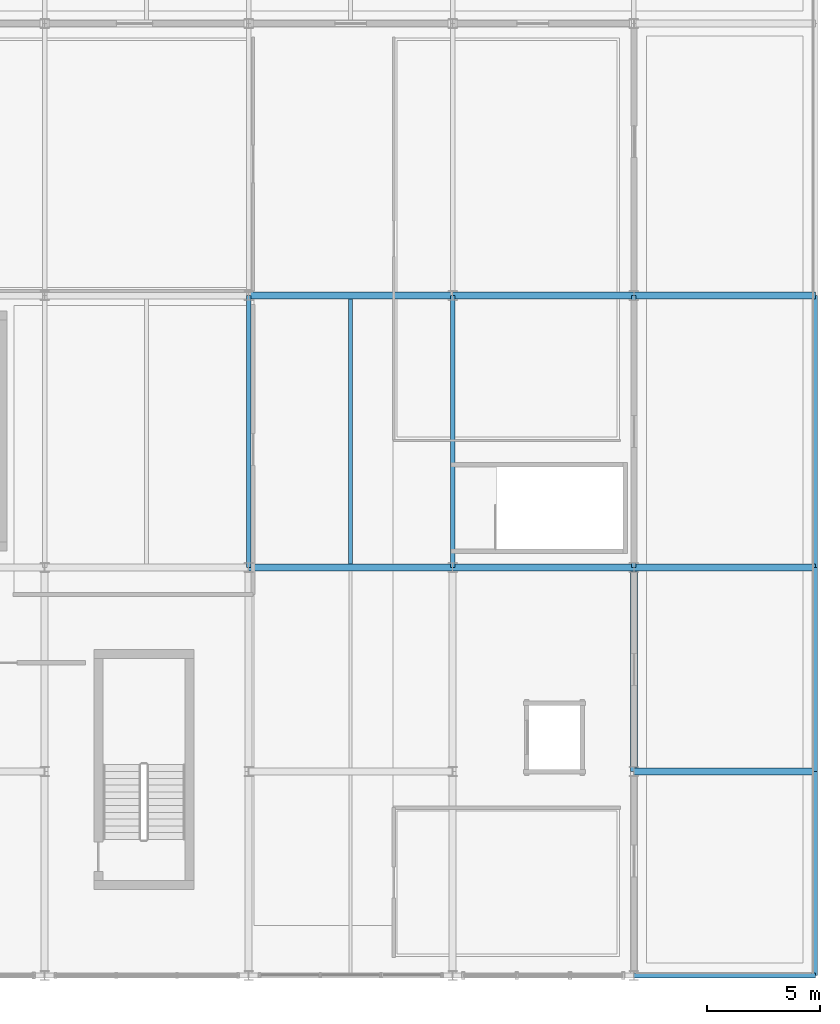
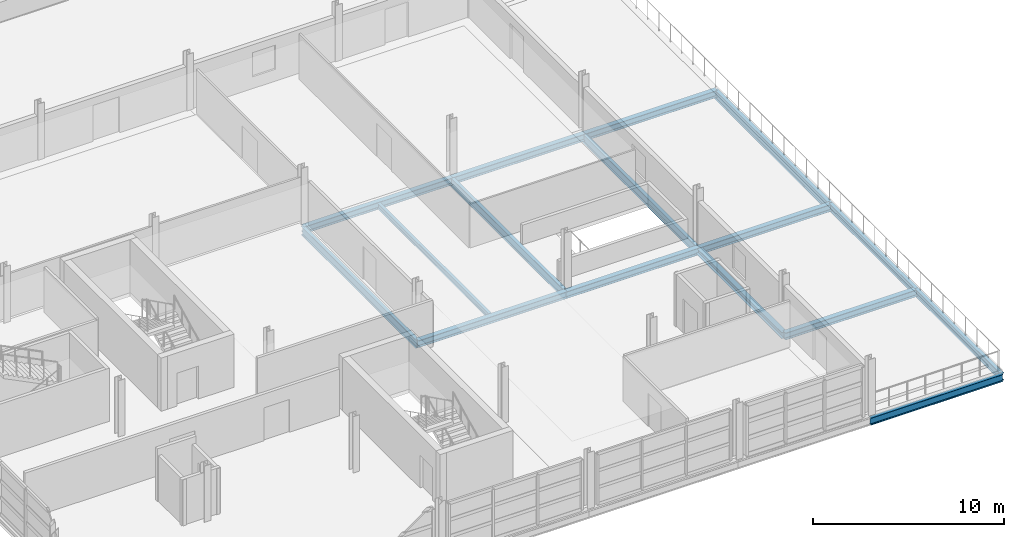
# One storey, part 64 of 116: 16 beams.
"""IFC4 building model written with IfcOpenShell, lengths in metres."""

import ifcopenshell
import ifcopenshell.guid

model = None  # the IFC model being written
_history = None  # IfcOwnerHistory: only IFC2X3 demands one
_inside = {}  # id of a spatial element -> (the spatial element, [elements in it])
_under = {}  # id of a project, library or spatial element -> (it, [spatial elements below it])
_declared = {}  # id of a project -> (the project, [libraries it declares])
_typed = {}  # id of a type object -> (the type object, [elements of that type])
_made_of = {}  # id of a material, layer set ... -> (it, [elements and type objects made of it])


def new_model(schema):
    """Start an empty IFC model of exactly this schema.

    Asked for "IFC4X3", IfcOpenShell would pick the latest addendum, in which some entities
    have other attributes; the version numbers below select the first issue.
    IFC2X3 requires an IfcOwnerHistory on every rooted entity: one is made here for all.
    """
    global model, _history
    if schema == "IFC4X3":
        model = ifcopenshell.file(schema_version=(4, 3, 0, 0))
    else:
        model = ifcopenshell.file(schema=schema)
    _inside.clear()
    _under.clear()
    _declared.clear()
    _typed.clear()
    _made_of.clear()
    _history = None
    if model.schema == "IFC2X3":
        org = make("IfcOrganization", Name="unknown")
        user = make(
            "IfcPersonAndOrganization",
            ThePerson=make("IfcPerson", FamilyName="unknown"),
            TheOrganization=org,
        )
        app = make(
            "IfcApplication",
            ApplicationDeveloper=org,
            Version="unknown",
            ApplicationFullName="unknown",
            ApplicationIdentifier="unknown",
        )
        _history = make(
            "IfcOwnerHistory",
            OwningUser=user,
            OwningApplication=app,
            ChangeAction="ADDED",
            CreationDate=0,
        )
    return model


def make(cls, **values):
    """One entity of the class cls with the attributes given. An attribute that is None is left unset."""
    return model.create_entity(
        cls, **{name: value for name, value in values.items() if value is not None}
    )


def rooted(cls, **values):
    """An entity with a GlobalId (a new one), such as an element, a storey or a relation."""
    return make(cls, GlobalId=ifcopenshell.guid.new(), OwnerHistory=_history, **values)


def si_unit(unit_type, name, prefix=None):
    """IfcSIUnit, for example si_unit("LENGTHUNIT", "METRE", prefix="MILLI")."""
    return make("IfcSIUnit", UnitType=unit_type, Prefix=prefix, Name=name)


def assignment(units):
    """IfcUnitAssignment: the units of a project."""
    return None if units is None else make("IfcUnitAssignment", Units=units)


def point(xyz):
    """IfcCartesianPoint."""
    return None if xyz is None else make("IfcCartesianPoint", Coordinates=xyz)


def direction(xyz):
    """IfcDirection."""
    return None if xyz is None else make("IfcDirection", DirectionRatios=xyz)


def frame(location, z_axis=None, x_axis=None):
    """IfcAxis2Placement3D, a coordinate frame: its origin and axes. An axis left out is left unset."""
    return make(
        "IfcAxis2Placement3D",
        Location=point(location),
        Axis=direction(z_axis),
        RefDirection=direction(x_axis),
    )


def frame_2d(location, x_axis=None):
    """IfcAxis2Placement2D, a coordinate frame in the plane: its origin and x axis."""
    return make(
        "IfcAxis2Placement2D", Location=point(location), RefDirection=direction(x_axis)
    )


def origin():
    """The frame at (0, 0, 0) with its axes left unset."""
    return frame((0.0, 0.0, 0.0))


def origin_2d():
    """The frame at (0, 0) in the plane with its x axis left unset."""
    return frame_2d((0.0, 0.0))


def place(relative_to, where):
    """IfcLocalPlacement: puts the frame where relative to a parent placement (None: the world)."""
    return make(
        "IfcLocalPlacement", PlacementRelTo=relative_to, RelativePlacement=where
    )


def context(
    kind, dimensions, precision=None, world=None, true_north=None, identifier=None
):
    """IfcGeometricRepresentationContext, for example the 3D "Model" context."""
    return make(
        "IfcGeometricRepresentationContext",
        ContextIdentifier=identifier,
        ContextType=kind,
        CoordinateSpaceDimension=dimensions,
        Precision=precision,
        WorldCoordinateSystem=world,
        TrueNorth=true_north,
    )


def subcontext(parent, identifier, kind, view, scale=None):
    """IfcGeometricRepresentationSubContext, for example "Body" below "Model"."""
    return make(
        "IfcGeometricRepresentationSubContext",
        ContextIdentifier=identifier,
        ContextType=kind,
        ParentContext=parent,
        TargetScale=scale,
        TargetView=view,
    )


def project(units=None, contexts=None):
    """IfcProject with its units and contexts."""
    return rooted(
        "IfcProject",
        Name="project",
        RepresentationContexts=contexts,
        UnitsInContext=assignment(units),
    )


def spatial(cls, under=None, at=None, **own):
    """A site, building, storey or space (cls), placed at a placement, below another one or the project."""
    s = rooted(cls, ObjectPlacement=at, **own)
    if under is not None:
        _under.setdefault(under.id(), (under, []))[1].append(s)
    return s


def profile(cls, at=None, kind="AREA", **sizes):
    """A parametric profile (cls). Its sizes go by their IFC names, for example OverallWidth=200.0."""
    return make(cls, ProfileType=kind, Position=at, **sizes)


def i_section(**sizes):
    """IfcIShapeProfileDef."""
    return profile("IfcIShapeProfileDef", **sizes)


def extrude(swept, where, along, depth):
    """IfcExtrudedAreaSolid: the profile swept, set in the frame where, extruded along a direction by depth."""
    return make(
        "IfcExtrudedAreaSolid",
        SweptArea=swept,
        Position=where,
        ExtrudedDirection=direction(along),
        Depth=depth,
    )


def shape(context_of_items, identifier, shape_type, items):
    """IfcShapeRepresentation: the items that make up one representation, for example the "Body"."""
    return make(
        "IfcShapeRepresentation",
        ContextOfItems=context_of_items,
        RepresentationIdentifier=identifier,
        RepresentationType=shape_type,
        Items=items,
    )


def material(Name=None, Category=None):
    """IfcMaterial."""
    return make("IfcMaterial", Name=Name, Category=Category)


def material_profile(
    of_material, cross_section, Name=None, Category=None, Priority=None
):
    """IfcMaterialProfile: a cross section and its material."""
    return make(
        "IfcMaterialProfile",
        Name=Name,
        Material=of_material,
        Profile=cross_section,
        Priority=Priority,
        Category=Category,
    )


def profile_set(profiles, Name=None, composite=None):
    """IfcMaterialProfileSet."""
    return make(
        "IfcMaterialProfileSet",
        Name=Name,
        MaterialProfiles=profiles,
        CompositeProfile=composite,
    )


def made_of(thing, what):
    """Note that an element or type object is made of a material, layer set ...; save() writes the relation."""
    if what is not None:
        _made_of.setdefault(what.id(), (what, []))[1].append(thing)
    return thing


def type_object(cls, material=None, **own):
    """A type object (cls), such as IfcWallType, which elements share."""
    return made_of(rooted(cls, **own), material)


def element(
    cls,
    number,
    at=None,
    inside=None,
    cuts=None,
    type_object=None,
    material=None,
    context=None,
    identifier="Body",
    shape_type=None,
    held_by="IfcProductDefinitionShape",
    body=None,
    shapes=None,
    **own,
):
    """One element of the class cls, such as IfcWall. Its Tag is "e" and its number.

    at: its placement. inside: the storey or other place that contains it. cuts: it is an
    opening in that element (IfcRelVoidsElement). A single representation is given by context,
    identifier, shape_type and body (its items); several are given by shapes. held_by: the class
    of the entity that holds the representations. save() writes the other relations.
    """
    e = rooted(cls, Tag="e%d" % number, ObjectPlacement=at, **own)
    if body is not None:
        shapes = [shape(context, identifier, shape_type, body)]
    if shapes is not None:
        e.Representation = make(held_by, Representations=shapes)
    if inside is not None:
        _inside.setdefault(inside.id(), (inside, []))[1].append(e)
    if cuts is not None:
        rooted(
            "IfcRelVoidsElement", RelatingBuildingElement=cuts, RelatedOpeningElement=e
        )
    if type_object is not None:
        _typed.setdefault(type_object.id(), (type_object, []))[1].append(e)
    return made_of(e, material)


def aggregate(whole, parts):
    """IfcRelAggregates: a whole, such as a stair, and the parts it consists of."""
    return rooted("IfcRelAggregates", RelatingObject=whole, RelatedObjects=parts)


def save(model, path):
    """Write the relations noted so far, then the file.

    IfcRelAggregates (storeys below a building ...), IfcRelContainedInSpatialStructure (elements
    in a storey), IfcRelDefinesByType, IfcRelAssociatesMaterial and IfcRelDeclares: one each for
    every whole, place, type object, material and project.
    """
    for whole, parts in _under.values():
        aggregate(whole, parts)
    for where, things in _inside.values():
        rooted(
            "IfcRelContainedInSpatialStructure",
            RelatedElements=things,
            RelatingStructure=where,
        )
    for kind, things in _typed.values():
        rooted("IfcRelDefinesByType", RelatedObjects=things, RelatingType=kind)
    for what, things in _made_of.values():
        rooted("IfcRelAssociatesMaterial", RelatedObjects=things, RelatingMaterial=what)
    for by, libraries in _declared.values():
        rooted("IfcRelDeclares", RelatingContext=by, RelatedDefinitions=libraries)
    model.write(path)


model = new_model("IFC4")

# Units and contexts
model_context = context("Model", 3, precision=1e-05, world=origin(), true_north=direction((0.0, 1.0)))
body_context = subcontext(model_context, "Body", "Model", "MODEL_VIEW")
ifc_project = project(units=[si_unit("LENGTHUNIT", "METRE"), si_unit("AREAUNIT", "SQUARE_METRE"), si_unit("VOLUMEUNIT", "CUBIC_METRE"), si_unit("PLANEANGLEUNIT", "RADIAN"), si_unit("MASSUNIT", "GRAM", prefix="KILO")], contexts=[model_context])

# Site, building, storey
site_placement = place(None, origin())
site = spatial("IfcSite", under=ifc_project, at=site_placement, CompositionType="ELEMENT")
building_placement = place(site_placement, origin())
building = spatial("IfcBuilding", under=site, at=building_placement, Name="Chuanluo Vaults Station", CompositionType="ELEMENT")
storey_placement = place(building_placement, frame((0.0, 0.0, 10.800048828125)))
storey = spatial("IfcBuildingStorey", under=building, at=storey_placement, Name="L02", CompositionType="ELEMENT", Elevation=10.800048828125)

# Beams
ifc_material_1 = material(Name="Steel Q355C", Category="steel")
ifc_material_profile_1 = material_profile(ifc_material_1, i_section(OverallWidth=0.300048828125, OverallDepth=0.389892578125, WebThickness=0.010009765625, FlangeThickness=0.01611328125, FilletRadius=0.02001953125, at=origin_2d()))
ifc_profile_set_1 = profile_set([ifc_material_profile_1], Name="Steel Q355C")
beam_type_1 = type_object("IfcBeamType", Name="BM-GRD-400", PredefinedType="BEAM", material=ifc_profile_set_1)
beam_1_placement = place(storey_placement, frame((180.0, 9.0, -0.445068359375), z_axis=(0.0, 1.0, 0.0), x_axis=(-1.0, 0.0, 0.0)))
element("IfcBeam", 1, at=beam_1_placement, inside=storey, type_object=beam_type_1, Name="Floor girder BM:GY:L02:0688", PredefinedType="BEAM", context=body_context, shape_type="SweptSolid", body=[
    extrude(i_section(OverallWidth=0.300048828125, OverallDepth=0.389892578125, WebThickness=0.010009765625, FlangeThickness=0.01611328125, FilletRadius=0.02001953125, at=origin_2d()), origin(), (0.0, 0.0, 1.0), 9.0),
])
ifc_material_2 = material(Name="Steel Q355C", Category="steel")
ifc_material_profile_2 = material_profile(ifc_material_2, i_section(OverallWidth=0.300048828125, OverallDepth=0.43994140625, WebThickness=0.010986328125, FlangeThickness=0.01806640625, FilletRadius=0.02001953125, at=origin_2d()))
ifc_profile_set_2 = profile_set([ifc_material_profile_2], Name="Steel Q355C")
beam_type_2 = type_object("IfcBeamType", Name="BM-GRD-450", PredefinedType="USERDEFINED", material=ifc_profile_set_2)
beam_2_placement = place(storey_placement, frame((180.0, 9.0, -0.469970703125), z_axis=(1.0, 0.0, 0.0), x_axis=(0.0, 1.0, 0.0)))
element("IfcBeam", 2, at=beam_2_placement, inside=storey, type_object=beam_type_2, Name="Floor girder BM:GX:L02:0544", ObjectType="GIRDER", PredefinedType="USERDEFINED", context=body_context, shape_type="SweptSolid", body=[
    extrude(i_section(OverallWidth=0.300048828125, OverallDepth=0.43994140625, WebThickness=0.010986328125, FlangeThickness=0.01806640625, FilletRadius=0.02001953125, at=origin_2d()), origin(), (0.0, 0.0, 1.0), 8.0),
])
beam_3_placement = place(storey_placement, frame((163.0, 18.0, -0.4599609375), z_axis=(1.0, 0.0, 0.0), x_axis=(0.0, 1.0, 0.0)))
element("IfcBeam", 3, at=beam_3_placement, inside=storey, type_object=beam_type_2, Name="Floor girder BM:GX:L02:0552", ObjectType="GIRDER", PredefinedType="USERDEFINED", context=body_context, shape_type="SweptSolid", body=[
    extrude(i_section(OverallWidth=0.300048828125, OverallDepth=0.43994140625, WebThickness=0.010986328125, FlangeThickness=0.01806640625, FilletRadius=0.02001953125, at=origin_2d()), origin(), (0.0, 0.0, 1.0), 9.0),
])
for number, where, z_axis, x_axis, name in (
    (4, (172.0, 18.0, -0.4599609375), (1.0, 0.0, 0.0), (0.0, 1.0, 0.0), "Floor girder BM:GX:L02:0553"),
    (5, (180.0, 18.0, -0.469970703125), (1.0, 0.0, 0.0), (0.0, 1.0, 0.0), "Floor girder BM:GX:L02:0554"),
):
    element("IfcBeam", number, at=place(storey_placement, frame(where, z_axis=z_axis, x_axis=x_axis)), inside=storey, type_object=beam_type_2, Name=name, ObjectType="GIRDER", PredefinedType="USERDEFINED", context=body_context, shape_type="SweptSolid", body=[
        extrude(i_section(OverallWidth=0.300048828125, OverallDepth=0.43994140625, WebThickness=0.010986328125, FlangeThickness=0.01806640625, FilletRadius=0.02001953125, at=origin_2d()), origin(), (0.0, 0.0, 1.0), 8.0),
    ])
beam_4_placement = place(storey_placement, frame((163.0, 30.0, -0.4599609375), z_axis=(1.0, 0.0, 0.0), x_axis=(0.0, 1.0, 0.0)))
element("IfcBeam", 6, at=beam_4_placement, inside=storey, type_object=beam_type_2, Name="Floor girder BM:GX:L02:0559", ObjectType="GIRDER", PredefinedType="USERDEFINED", context=body_context, shape_type="SweptSolid", body=[
    extrude(i_section(OverallWidth=0.300048828125, OverallDepth=0.43994140625, WebThickness=0.010986328125, FlangeThickness=0.01806640625, FilletRadius=0.02001953125, at=origin_2d()), origin(), (0.0, 0.0, 1.0), 9.0),
])
for number, where, z_axis, x_axis, name in (
    (7, (172.0, 30.0, -0.4599609375), (1.0, 0.0, 0.0), (0.0, 1.0, 0.0), "Floor girder BM:GX:L02:0560"),
    (8, (180.0, 30.0, -0.469970703125), (1.0, 0.0, 0.0), (0.0, 1.0, 0.0), "Floor girder BM:GX:L02:0561"),
):
    element("IfcBeam", number, at=place(storey_placement, frame(where, z_axis=z_axis, x_axis=x_axis)), inside=storey, type_object=beam_type_2, Name=name, ObjectType="GIRDER", PredefinedType="USERDEFINED", context=body_context, shape_type="SweptSolid", body=[
        extrude(i_section(OverallWidth=0.300048828125, OverallDepth=0.43994140625, WebThickness=0.010986328125, FlangeThickness=0.01806640625, FilletRadius=0.02001953125, at=origin_2d()), origin(), (0.0, 0.0, 1.0), 8.0),
    ])
ifc_material_3 = material(Name="Steel Q355C", Category="steel")
ifc_material_profile_3 = material_profile(ifc_material_3, i_section(OverallWidth=0.199951171875, OverallDepth=0.550048828125, WebThickness=0.010009765625, FlangeThickness=0.01611328125, FilletRadius=0.01806640625, at=origin_2d()))
ifc_profile_set_3 = profile_set([ifc_material_profile_3], Name="Steel Q355C")
beam_type_3 = type_object("IfcBeamType", Name="BM-GRD-550", PredefinedType="USERDEFINED", material=ifc_profile_set_3)
for number, where, z_axis, x_axis, name in (
    (9, (163.0, 18.0, -0.51513671875), (0.0, 1.0, 0.0), (-1.0, 0.0, 0.0), "Floor girder BM:GY:L02:0665"),
    (10, (172.0, 18.0, -0.51513671875), (0.0, 1.0, 0.0), (-1.0, 0.0, 0.0), "Floor girder BM:GY:L02:0677"),
    (11, (180.0, 18.0, -0.525146484375), (0.0, 1.0, 0.0), (-1.0, 0.0, 0.0), "Floor girder BM:GY:L02:0689"),
):
    element("IfcBeam", number, at=place(storey_placement, frame(where, z_axis=z_axis, x_axis=x_axis)), inside=storey, type_object=beam_type_3, Name=name, ObjectType="GIRDER", PredefinedType="USERDEFINED", context=body_context, shape_type="SweptSolid", body=[
        extrude(i_section(OverallWidth=0.199951171875, OverallDepth=0.550048828125, WebThickness=0.010009765625, FlangeThickness=0.01611328125, FilletRadius=0.01806640625, at=origin_2d()), origin(), (0.0, 0.0, 1.0), 12.0),
    ])
ifc_material_4 = material(Name="Steel Q355C", Category="steel")
ifc_material_profile_4 = material_profile(ifc_material_4, i_section(OverallWidth=0.175048828125, OverallDepth=0.35009765625, WebThickness=0.007080078125, FlangeThickness=0.010986328125, FilletRadius=0.013916015625, at=origin_2d()))
ifc_profile_set_4 = profile_set([ifc_material_profile_4], Name="Steel Q355C")
beam_type_4 = type_object("IfcBeamType", Name="BM-SEC-350", PredefinedType="JOIST", material=ifc_profile_set_4)
beam_5_placement = place(storey_placement, frame((167.5, 18.155029296875, -0.4150390625), z_axis=(0.0, 1.0, 0.0), x_axis=(-1.0, 0.0, 0.0)))
element("IfcBeam", 12, at=beam_5_placement, inside=storey, type_object=beam_type_4, Name="Composite secondary joist 0219", PredefinedType="JOIST", context=body_context, shape_type="SweptSolid", body=[
    extrude(i_section(OverallWidth=0.175048828125, OverallDepth=0.35009765625, WebThickness=0.007080078125, FlangeThickness=0.010986328125, FilletRadius=0.013916015625, at=origin_2d()), origin(), (0.0, 0.0, 1.0), 11.68994140625),
])
ifc_material_5 = material(Name="Steel Q355C", Category="steel")
ifc_material_profile_5 = material_profile(ifc_material_5, i_section(OverallWidth=0.205078125, OverallDepth=0.4599609375, WebThickness=0.009033203125, FlangeThickness=0.013916015625, FilletRadius=0.01611328125, at=origin_2d()))
ifc_profile_set_5 = profile_set([ifc_material_profile_5], Name="Steel Q355C")
beam_type_5 = type_object("IfcBeamType", Name="BM-SPN-450", PredefinedType="SPANDREL", material=ifc_profile_set_5)
beam_6_placement = place(storey_placement, frame((180.0, 0.0, -0.47998046875), z_axis=(1.0, 0.0, 0.0), x_axis=(0.0, 1.0, 0.0)))
element("IfcBeam", 13, at=beam_6_placement, inside=storey, type_object=beam_type_5, Name="Floor girder BM:GX:L02:0540", PredefinedType="SPANDREL", context=body_context, shape_type="SweptSolid", body=[
    extrude(i_section(OverallWidth=0.205078125, OverallDepth=0.4599609375, WebThickness=0.009033203125, FlangeThickness=0.013916015625, FilletRadius=0.01611328125, at=origin_2d()), origin(), (0.0, 0.0, 1.0), 8.0),
])
for number, where, z_axis, x_axis, name in (
    (14, (188.0, 0.0, -0.47998046875), (0.0, 1.0, 0.0), (-1.0, 0.0, 0.0), "Floor girder BM:GY:L02:0699"),
    (15, (188.0, 9.0, -0.47998046875), (0.0, 1.0, 0.0), (-1.0, 0.0, 0.0), "Floor girder BM:GY:L02:0700"),
):
    element("IfcBeam", number, at=place(storey_placement, frame(where, z_axis=z_axis, x_axis=x_axis)), inside=storey, type_object=beam_type_5, Name=name, PredefinedType="SPANDREL", context=body_context, shape_type="SweptSolid", body=[
        extrude(i_section(OverallWidth=0.205078125, OverallDepth=0.4599609375, WebThickness=0.009033203125, FlangeThickness=0.013916015625, FilletRadius=0.01611328125, at=origin_2d()), origin(), (0.0, 0.0, 1.0), 9.0),
    ])
ifc_material_6 = material(Name="Steel Q355C", Category="steel")
ifc_material_profile_6 = material_profile(ifc_material_6, i_section(OverallWidth=0.2099609375, OverallDepth=0.580078125, WebThickness=0.010986328125, FlangeThickness=0.01708984375, FilletRadius=0.01806640625, at=origin_2d()))
ifc_profile_set_6 = profile_set([ifc_material_profile_6], Name="Steel Q355C")
beam_type_6 = type_object("IfcBeamType", Name="BM-SPN-600", PredefinedType="SPANDREL", material=ifc_profile_set_6)
beam_7_placement = place(storey_placement, frame((188.0, 18.0, -0.5400390625), z_axis=(0.0, 1.0, 0.0), x_axis=(-1.0, 0.0, 0.0)))
element("IfcBeam", 16, at=beam_7_placement, inside=storey, type_object=beam_type_6, Name="Floor girder BM:GY:L02:0701", PredefinedType="SPANDREL", context=body_context, shape_type="SweptSolid", body=[
    extrude(i_section(OverallWidth=0.2099609375, OverallDepth=0.580078125, WebThickness=0.010986328125, FlangeThickness=0.01708984375, FilletRadius=0.01806640625, at=origin_2d()), origin(), (0.0, 0.0, 1.0), 12.0),
])

save(model, "model.ifc")
